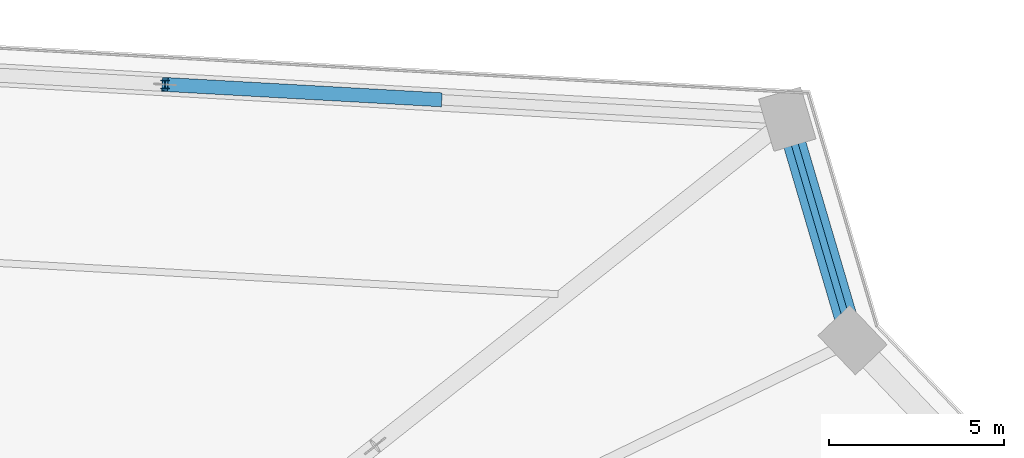
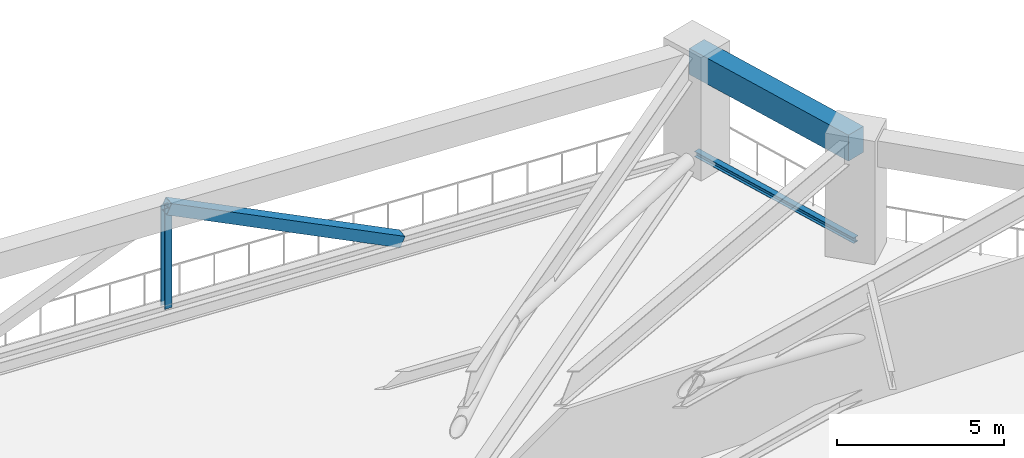
# One storey, part 11 of 25: 3 members, 1 beam.
"""IFC4 building model written with IfcOpenShell, lengths in metres."""

import ifcopenshell
import ifcopenshell.guid

model = None  # the IFC model being written
_history = None  # IfcOwnerHistory: only IFC2X3 demands one
_inside = {}  # id of a spatial element -> (the spatial element, [elements in it])
_under = {}  # id of a project, library or spatial element -> (it, [spatial elements below it])
_declared = {}  # id of a project -> (the project, [libraries it declares])
_typed = {}  # id of a type object -> (the type object, [elements of that type])
_made_of = {}  # id of a material, layer set ... -> (it, [elements and type objects made of it])


def new_model(schema):
    """Start an empty IFC model of exactly this schema.

    Asked for "IFC4X3", IfcOpenShell would pick the latest addendum, in which some entities
    have other attributes; the version numbers below select the first issue.
    IFC2X3 requires an IfcOwnerHistory on every rooted entity: one is made here for all.
    """
    global model, _history
    if schema == "IFC4X3":
        model = ifcopenshell.file(schema_version=(4, 3, 0, 0))
    else:
        model = ifcopenshell.file(schema=schema)
    _inside.clear()
    _under.clear()
    _declared.clear()
    _typed.clear()
    _made_of.clear()
    _history = None
    if model.schema == "IFC2X3":
        org = make("IfcOrganization", Name="unknown")
        user = make(
            "IfcPersonAndOrganization",
            ThePerson=make("IfcPerson", FamilyName="unknown"),
            TheOrganization=org,
        )
        app = make(
            "IfcApplication",
            ApplicationDeveloper=org,
            Version="unknown",
            ApplicationFullName="unknown",
            ApplicationIdentifier="unknown",
        )
        _history = make(
            "IfcOwnerHistory",
            OwningUser=user,
            OwningApplication=app,
            ChangeAction="ADDED",
            CreationDate=0,
        )
    return model


def make(cls, **values):
    """One entity of the class cls with the attributes given. An attribute that is None is left unset."""
    return model.create_entity(
        cls, **{name: value for name, value in values.items() if value is not None}
    )


def rooted(cls, **values):
    """An entity with a GlobalId (a new one), such as an element, a storey or a relation."""
    return make(cls, GlobalId=ifcopenshell.guid.new(), OwnerHistory=_history, **values)


def si_unit(unit_type, name, prefix=None):
    """IfcSIUnit, for example si_unit("LENGTHUNIT", "METRE", prefix="MILLI")."""
    return make("IfcSIUnit", UnitType=unit_type, Prefix=prefix, Name=name)


def assignment(units):
    """IfcUnitAssignment: the units of a project."""
    return None if units is None else make("IfcUnitAssignment", Units=units)


def point(xyz):
    """IfcCartesianPoint."""
    return None if xyz is None else make("IfcCartesianPoint", Coordinates=xyz)


def direction(xyz):
    """IfcDirection."""
    return None if xyz is None else make("IfcDirection", DirectionRatios=xyz)


def frame(location, z_axis=None, x_axis=None):
    """IfcAxis2Placement3D, a coordinate frame: its origin and axes. An axis left out is left unset."""
    return make(
        "IfcAxis2Placement3D",
        Location=point(location),
        Axis=direction(z_axis),
        RefDirection=direction(x_axis),
    )


def frame_2d(location, x_axis=None):
    """IfcAxis2Placement2D, a coordinate frame in the plane: its origin and x axis."""
    return make(
        "IfcAxis2Placement2D", Location=point(location), RefDirection=direction(x_axis)
    )


def origin():
    """The frame at (0, 0, 0) with its axes left unset."""
    return frame((0.0, 0.0, 0.0))


def origin_2d():
    """The frame at (0, 0) in the plane with its x axis left unset."""
    return frame_2d((0.0, 0.0))


def place(relative_to, where):
    """IfcLocalPlacement: puts the frame where relative to a parent placement (None: the world)."""
    return make(
        "IfcLocalPlacement", PlacementRelTo=relative_to, RelativePlacement=where
    )


def context(
    kind, dimensions, precision=None, world=None, true_north=None, identifier=None
):
    """IfcGeometricRepresentationContext, for example the 3D "Model" context."""
    return make(
        "IfcGeometricRepresentationContext",
        ContextIdentifier=identifier,
        ContextType=kind,
        CoordinateSpaceDimension=dimensions,
        Precision=precision,
        WorldCoordinateSystem=world,
        TrueNorth=true_north,
    )


def subcontext(parent, identifier, kind, view, scale=None):
    """IfcGeometricRepresentationSubContext, for example "Body" below "Model"."""
    return make(
        "IfcGeometricRepresentationSubContext",
        ContextIdentifier=identifier,
        ContextType=kind,
        ParentContext=parent,
        TargetScale=scale,
        TargetView=view,
    )


def project(units=None, contexts=None):
    """IfcProject with its units and contexts."""
    return rooted(
        "IfcProject",
        Name="project",
        RepresentationContexts=contexts,
        UnitsInContext=assignment(units),
    )


def spatial(cls, under=None, at=None, **own):
    """A site, building, storey or space (cls), placed at a placement, below another one or the project."""
    s = rooted(cls, ObjectPlacement=at, **own)
    if under is not None:
        _under.setdefault(under.id(), (under, []))[1].append(s)
    return s


def profile(cls, at=None, kind="AREA", **sizes):
    """A parametric profile (cls). Its sizes go by their IFC names, for example OverallWidth=200.0."""
    return make(cls, ProfileType=kind, Position=at, **sizes)


def rectangle(**sizes):
    """IfcRectangleProfileDef."""
    return profile("IfcRectangleProfileDef", **sizes)


def hollow_rectangle(**sizes):
    """IfcRectangleHollowProfileDef."""
    return profile("IfcRectangleHollowProfileDef", **sizes)


def i_section(**sizes):
    """IfcIShapeProfileDef."""
    return profile("IfcIShapeProfileDef", **sizes)


def extrude(swept, where, along, depth):
    """IfcExtrudedAreaSolid: the profile swept, set in the frame where, extruded along a direction by depth."""
    return make(
        "IfcExtrudedAreaSolid",
        SweptArea=swept,
        Position=where,
        ExtrudedDirection=direction(along),
        Depth=depth,
    )


def shape(context_of_items, identifier, shape_type, items):
    """IfcShapeRepresentation: the items that make up one representation, for example the "Body"."""
    return make(
        "IfcShapeRepresentation",
        ContextOfItems=context_of_items,
        RepresentationIdentifier=identifier,
        RepresentationType=shape_type,
        Items=items,
    )


def source(mapping_origin, context_of_items, identifier, shape_type, items):
    """IfcRepresentationMap: a shape defined once, which mapped items show again and again."""
    return make(
        "IfcRepresentationMap",
        MappingOrigin=mapping_origin,
        MappedRepresentation=shape(context_of_items, identifier, shape_type, items),
    )


def transform(
    local_origin,
    x_axis=None,
    y_axis=None,
    z_axis=None,
    scale=None,
    scale2=None,
    scale3=None,
    uniform=True,
):
    """IfcCartesianTransformationOperator3D, or its non-uniform kind. x_axis, y_axis, z_axis: its Axis1, 2, 3."""
    if uniform:
        return make(
            "IfcCartesianTransformationOperator3D",
            Axis1=direction(x_axis),
            Axis2=direction(y_axis),
            LocalOrigin=point(local_origin),
            Scale=scale,
            Axis3=direction(z_axis),
        )
    return make(
        "IfcCartesianTransformationOperator3DnonUniform",
        Axis1=direction(x_axis),
        Axis2=direction(y_axis),
        LocalOrigin=point(local_origin),
        Scale=scale,
        Axis3=direction(z_axis),
        Scale2=scale2,
        Scale3=scale3,
    )


def mapped(mapping_source, mapping_target):
    """IfcMappedItem: shows the shape of a source again, moved by a transform."""
    return make(
        "IfcMappedItem", MappingSource=mapping_source, MappingTarget=mapping_target
    )


def material(Name=None, Category=None):
    """IfcMaterial."""
    return make("IfcMaterial", Name=Name, Category=Category)


def material_profile(
    of_material, cross_section, Name=None, Category=None, Priority=None
):
    """IfcMaterialProfile: a cross section and its material."""
    return make(
        "IfcMaterialProfile",
        Name=Name,
        Material=of_material,
        Profile=cross_section,
        Priority=Priority,
        Category=Category,
    )


def profile_set(profiles, Name=None, composite=None):
    """IfcMaterialProfileSet."""
    return make(
        "IfcMaterialProfileSet",
        Name=Name,
        MaterialProfiles=profiles,
        CompositeProfile=composite,
    )


def made_of(thing, what):
    """Note that an element or type object is made of a material, layer set ...; save() writes the relation."""
    if what is not None:
        _made_of.setdefault(what.id(), (what, []))[1].append(thing)
    return thing


def type_object(cls, material=None, **own):
    """A type object (cls), such as IfcWallType, which elements share."""
    return made_of(rooted(cls, **own), material)


def element(
    cls,
    number,
    at=None,
    inside=None,
    cuts=None,
    type_object=None,
    material=None,
    context=None,
    identifier="Body",
    shape_type=None,
    held_by="IfcProductDefinitionShape",
    body=None,
    shapes=None,
    **own,
):
    """One element of the class cls, such as IfcWall. Its Tag is "e" and its number.

    at: its placement. inside: the storey or other place that contains it. cuts: it is an
    opening in that element (IfcRelVoidsElement). A single representation is given by context,
    identifier, shape_type and body (its items); several are given by shapes. held_by: the class
    of the entity that holds the representations. save() writes the other relations.
    """
    e = rooted(cls, Tag="e%d" % number, ObjectPlacement=at, **own)
    if body is not None:
        shapes = [shape(context, identifier, shape_type, body)]
    if shapes is not None:
        e.Representation = make(held_by, Representations=shapes)
    if inside is not None:
        _inside.setdefault(inside.id(), (inside, []))[1].append(e)
    if cuts is not None:
        rooted(
            "IfcRelVoidsElement", RelatingBuildingElement=cuts, RelatedOpeningElement=e
        )
    if type_object is not None:
        _typed.setdefault(type_object.id(), (type_object, []))[1].append(e)
    return made_of(e, material)


def aggregate(whole, parts):
    """IfcRelAggregates: a whole, such as a stair, and the parts it consists of."""
    return rooted("IfcRelAggregates", RelatingObject=whole, RelatedObjects=parts)


def save(model, path):
    """Write the relations noted so far, then the file.

    IfcRelAggregates (storeys below a building ...), IfcRelContainedInSpatialStructure (elements
    in a storey), IfcRelDefinesByType, IfcRelAssociatesMaterial and IfcRelDeclares: one each for
    every whole, place, type object, material and project.
    """
    for whole, parts in _under.values():
        aggregate(whole, parts)
    for where, things in _inside.values():
        rooted(
            "IfcRelContainedInSpatialStructure",
            RelatedElements=things,
            RelatingStructure=where,
        )
    for kind, things in _typed.values():
        rooted("IfcRelDefinesByType", RelatedObjects=things, RelatingType=kind)
    for what, things in _made_of.values():
        rooted("IfcRelAssociatesMaterial", RelatedObjects=things, RelatingMaterial=what)
    for by, libraries in _declared.values():
        rooted("IfcRelDeclares", RelatingContext=by, RelatedDefinitions=libraries)
    model.write(path)


model = new_model("IFC4")

# Units and contexts
model_context = context("Model", 3, precision=1e-05, world=origin(), true_north=direction((0.0, 1.0)))
body_context = subcontext(model_context, "Body", "Model", "MODEL_VIEW")
ifc_project = project(units=[si_unit("LENGTHUNIT", "METRE"), si_unit("AREAUNIT", "SQUARE_METRE"), si_unit("VOLUMEUNIT", "CUBIC_METRE"), si_unit("PLANEANGLEUNIT", "RADIAN"), si_unit("MASSUNIT", "GRAM", prefix="KILO")], contexts=[model_context])

# Site, building, storey
site_placement = place(None, origin())
site = spatial("IfcSite", under=ifc_project, at=site_placement, CompositionType="ELEMENT")
building_placement = place(site_placement, origin())
building = spatial("IfcBuilding", under=site, at=building_placement, Name="Liaohun Quay Tower", CompositionType="ELEMENT")
storey_placement = place(building_placement, frame((0.0, 0.0, 47.25)))
storey = spatial("IfcBuildingStorey", under=building, at=storey_placement, Name="L12", CompositionType="ELEMENT", Elevation=47.25)

# Beam
ifc_material_1 = material(Name="Precast concrete C55", Category="concrete")
ifc_material_profile_1 = material_profile(ifc_material_1, rectangle(XDim=0.64990234375, YDim=0.949951171875, at=origin_2d()), Name="RC650x950")
ifc_profile_set_1 = profile_set([ifc_material_profile_1], Name="Precast concrete C55")
beam_type = type_object("IfcBeamType", Name="BM-SPD-Z1", PredefinedType="SPANDREL", material=ifc_profile_set_1)
shared_shape_1 = source(origin(), body_context, "Body", "SweptSolid", [
    extrude(rectangle(XDim=0.64990234375, YDim=0.949951171875, at=origin_2d()), origin(), (0.0, 0.0, 1.0), 6.5703125),
])
beam_placement = place(storey_placement, frame((92.501953125, 80.139892578125, 3.844970703125), z_axis=(0.282814049913, -0.959174756325, 0.0), x_axis=(0.959174756325, 0.282814049913, 0.0)))
element("IfcBeam", 1, at=beam_placement, inside=storey, type_object=beam_type, Name="L12 Precast Spandrel Beam PC07-PC08", PredefinedType="SPANDREL", context=body_context, shape_type="MappedRepresentation", body=[
    mapped(shared_shape_1, transform((0.0, 0.0, 0.0), x_axis=(1.0, 0.0, 0.0), y_axis=(0.0, 1.0, 0.0), z_axis=(0.0, 0.0, 1.0), scale=1.0)),
])

# Members
ifc_material_2 = material(Name="Steel Q355D", Category="steel")
ifc_material_profile_2 = material_profile(ifc_material_2, i_section(OverallWidth=0.25, OverallDepth=0.25, WebThickness=0.009033203125, FlangeThickness=0.013916015625, at=origin_2d()), Name="HW250x250x9x14")
ifc_profile_set_2 = profile_set([ifc_material_profile_2], Name="Steel Q355D")
member_type_1 = type_object("IfcMemberType", Name="MEM-BLT-PST", PredefinedType="POST", material=ifc_profile_set_2)
shared_shape_2 = source(origin(), body_context, "Body", "SweptSolid", [
    extrude(i_section(OverallWidth=0.25, OverallDepth=0.25, WebThickness=0.009033203125, FlangeThickness=0.013916015625, at=origin_2d()), origin(), (0.0, 0.0, 1.0), 3.669921875),
])
member_1_placement = place(storey_placement, frame((74.761962890625, 81.1259765625, 0.35009765625), z_axis=(0.0, 0.0, 1.0), x_axis=(1.0, 0.0, 0.0)))
element("IfcMember", 2, at=member_1_placement, inside=storey, type_object=member_type_1, Name="L12 Belt Truss Vertical Post BP-1-04", PredefinedType="POST", context=body_context, shape_type="MappedRepresentation", body=[
    mapped(shared_shape_2, transform((0.0, 0.0, 0.0), x_axis=(1.0, 0.0, 0.0), y_axis=(0.0, 1.0, 0.0), z_axis=(0.0, 0.0, 1.0), scale=1.0)),
])
ifc_material_3 = material(Name="Steel Q420D", Category="steel")
ifc_material_profile_3 = material_profile(ifc_material_3, hollow_rectangle(XDim=0.39990234375, YDim=0.39990234375, WallThickness=0.02001953125, at=origin_2d()), Name="SHS400x400x20")
ifc_profile_set_3 = profile_set([ifc_material_profile_3], Name="Steel Q420D")
member_type_2 = type_object("IfcMemberType", Name="MEM-BLT-DG1", PredefinedType="BRACE", material=ifc_profile_set_3)
shared_shape_3 = source(origin(), body_context, "Body", "SweptSolid", [
    extrude(hollow_rectangle(XDim=0.39990234375, YDim=0.39990234375, WallThickness=0.02001953125, at=origin_2d()), origin(), (0.0, 0.0, 1.0), 8.63671875),
])
member_2_placement = place(storey_placement, frame((74.761962890625, 81.1259765625, 4.02001953125), z_axis=(0.90383397097, -0.050260111353, -0.424921256384), x_axis=(0.055521904688, 0.998457469349, 0.0)))
element("IfcMember", 3, at=member_2_placement, inside=storey, type_object=member_type_2, Name="L12 Belt Truss Diagonal BD-04B", PredefinedType="BRACE", context=body_context, shape_type="MappedRepresentation", body=[
    mapped(shared_shape_3, transform((0.0, 0.0, 0.0), x_axis=(1.0, 0.0, 0.0), y_axis=(0.0, 1.0, 0.0), z_axis=(0.0, 0.0, 1.0), scale=1.0)),
])
ifc_material_profile_4 = material_profile(ifc_material_2, i_section(OverallWidth=0.199951171875, OverallDepth=0.199951171875, WebThickness=0.008056640625, FlangeThickness=0.011962890625, at=origin_2d()), Name="HW200x200x8x12")
ifc_profile_set_4 = profile_set([ifc_material_profile_4], Name="Steel Q355D")
member_type_3 = type_object("IfcMemberType", Name="MEM-HDR-TRM", PredefinedType="STUD", material=ifc_profile_set_4)
shared_shape_4 = source(origin(), body_context, "Body", "SweptSolid", [
    extrude(i_section(OverallWidth=0.199951171875, OverallDepth=0.199951171875, WebThickness=0.008056640625, FlangeThickness=0.011962890625, at=origin_2d()), origin(), (0.0, 0.0, 1.0), 6.5703125),
])
member_3_placement = place(storey_placement, frame((92.501953125, 80.139892578125, 0.35009765625), z_axis=(0.282814049913, -0.959174756325, 0.0), x_axis=(0.959174756325, 0.282814049913, 0.0)))
element("IfcMember", 4, at=member_3_placement, inside=storey, type_object=member_type_3, Name="L12 Refuge Notch Header Tie Stud HT-1-02", PredefinedType="STUD", context=body_context, shape_type="MappedRepresentation", body=[
    mapped(shared_shape_4, transform((0.0, 0.0, 0.0), x_axis=(1.0, 0.0, 0.0), y_axis=(0.0, 1.0, 0.0), z_axis=(0.0, 0.0, 1.0), scale=1.0)),
])

save(model, "model.ifc")
